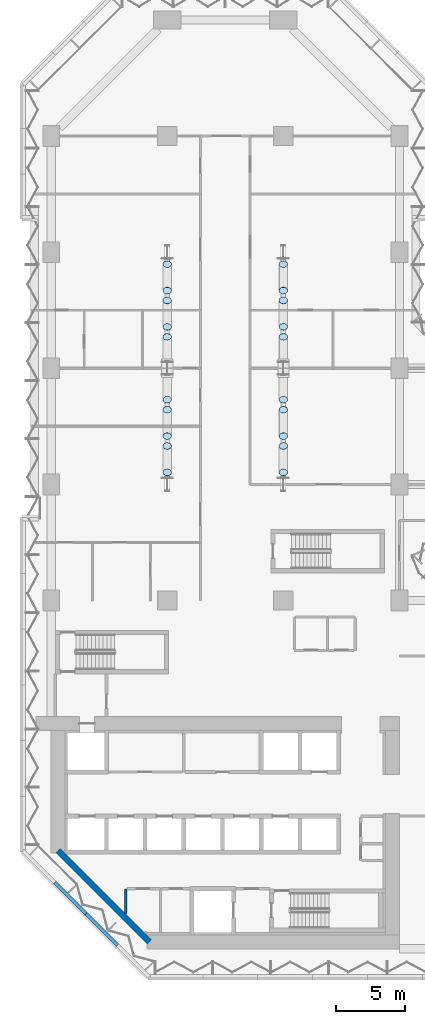
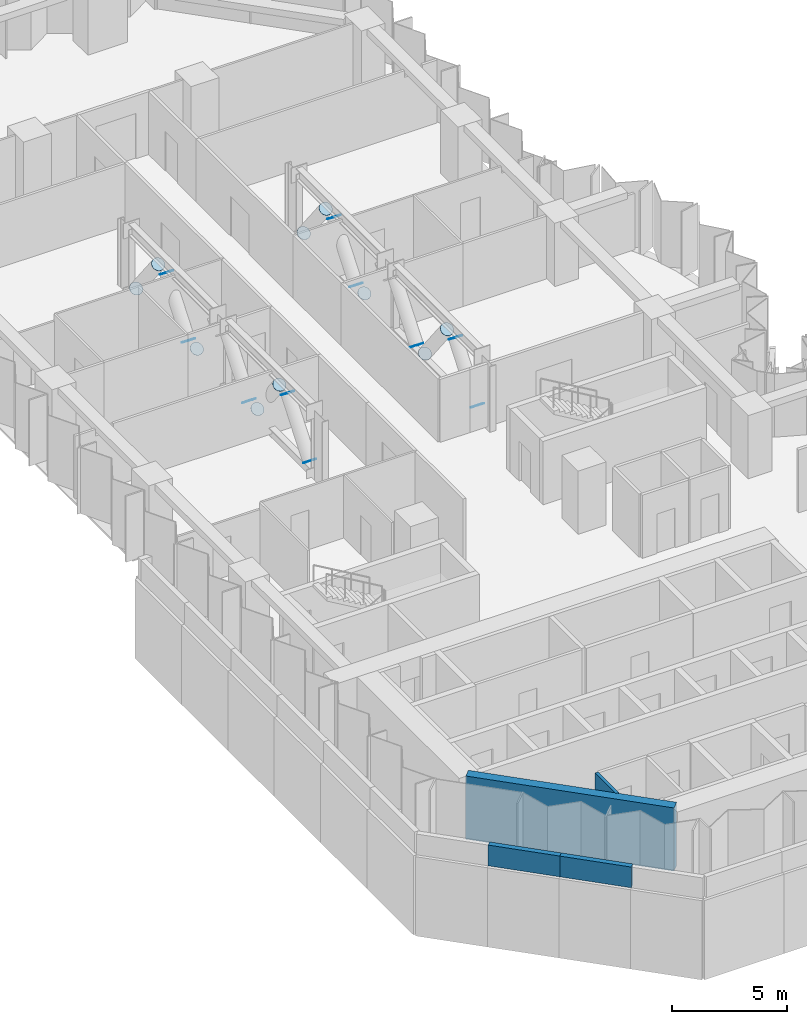
# One storey, part 8 of 24: 20 plates, 4 walls.
"""IFC4 building model written with IfcOpenShell, lengths in metres."""

from ifc_helpers import new_model, si_unit, direction, frame, frame_2d, origin, origin_2d, place, context, subcontext, project, spatial, rectangle, circle, extrude, material, layer, layer_set, material_profile, profile_set, type_object, element, save


model = new_model("IFC4")

# Units and contexts
model_context = context("Model", 3, precision=1e-05, world=origin(), true_north=direction((0.0, 1.0)))
body_context = subcontext(model_context, "Body", "Model", "MODEL_VIEW")
ifc_project = project(units=[si_unit("LENGTHUNIT", "METRE"), si_unit("AREAUNIT", "SQUARE_METRE"), si_unit("VOLUMEUNIT", "CUBIC_METRE"), si_unit("PLANEANGLEUNIT", "RADIAN"), si_unit("MASSUNIT", "GRAM", prefix="KILO")], contexts=[model_context])

# Site, building, storey
site_placement = place(None, origin())
site = spatial("IfcSite", under=ifc_project, at=site_placement, CompositionType="ELEMENT")
building_placement = place(site_placement, origin())
building = spatial("IfcBuilding", under=site, at=building_placement, Name="Brevane Broadcast Tower", CompositionType="ELEMENT")
storey_placement = place(building_placement, frame((0.0, 0.0, 36.5)))
storey = spatial("IfcBuildingStorey", under=building, at=storey_placement, Name="L06", CompositionType="ELEMENT", Elevation=36.5)

# Plates
ifc_material_1 = material(Name="Steel S355", Category="steel")
ifc_material_profile = material_profile(ifc_material_1, circle(Radius=0.304931640625, at=origin_2d()), Name="PL 610 DIA x 15")
ifc_profile_set = profile_set([ifc_material_profile], Name="Steel S355")
plate_type = type_object("IfcPlateType", Name="STEEL END CAP PLATE 610 DIA x 15", PredefinedType="SHEET", material=ifc_profile_set)
plate_1_placement = place(storey_placement, frame((8.39990234375, 34.460205078125, 0.538818359375), z_axis=(0.0, 0.620702944366, 0.784045824462), x_axis=(-1.0, 0.0, 0.0)))
element("IfcPlate", 1, at=plate_1_placement, inside=storey, type_object=plate_type, Name="End cap plate EC6-134", PredefinedType="SHEET", context=body_context, shape_type="SweptSolid", body=[
    extrude(circle(Radius=0.304931640625, at=origin_2d()), origin(), (0.0, 0.0, 1.0), 0.014892578125),
])
plate_2_placement = place(storey_placement, frame((8.39990234375, 36.370361328125, 2.984375), z_axis=(0.0, 0.612823519294, 0.790219801195), x_axis=(-1.0, 0.0, 0.0)))
element("IfcPlate", 2, at=plate_2_placement, inside=storey, type_object=plate_type, Name="End cap plate EC6-135", PredefinedType="SHEET", context=body_context, shape_type="SweptSolid", body=[
    extrude(circle(Radius=0.304931640625, at=origin_2d()), origin(), (0.0, 0.0, 1.0), 0.01513671875),
])
plate_3_placement = place(storey_placement, frame((8.39990234375, 39.01171875, 0.538818359375), z_axis=(0.0, -0.620702944366, 0.784045824462), x_axis=(1.0, 0.0, 0.0)))
element("IfcPlate", 3, at=plate_3_placement, inside=storey, type_object=plate_type, Name="End cap plate EC6-136", PredefinedType="SHEET", context=body_context, shape_type="SweptSolid", body=[
    extrude(circle(Radius=0.304931640625, at=origin_2d()), origin(), (0.0, 0.0, 1.0), 0.014892578125),
])
plate_4_placement = place(storey_placement, frame((8.39990234375, 37.1015625, 2.984375), z_axis=(0.0, -0.612823519294, 0.790219801195), x_axis=(1.0, 0.0, 0.0)))
element("IfcPlate", 4, at=plate_4_placement, inside=storey, type_object=plate_type, Name="End cap plate EC6-137", PredefinedType="SHEET", context=body_context, shape_type="SweptSolid", body=[
    extrude(circle(Radius=0.304931640625, at=origin_2d()), origin(), (0.0, 0.0, 1.0), 0.01513671875),
])
for number, where, z_axis, x_axis, name in (
    (5, (8.39990234375, 39.724365234375, 0.538818359375), (0.0, 0.620702944366, 0.784045824462), (-1.0, 0.0, 0.0), "End cap plate EC6-138"),
    (6, (8.39990234375, 44.275634765625, 0.538818359375), (0.0, -0.620702944366, 0.784045824462), (1.0, 0.0, 0.0), "End cap plate EC6-139"),
    (7, (8.39990234375, 44.98828125, 0.538818359375), (0.0, 0.620702944366, 0.784045824462), (-1.0, 0.0, 0.0), "End cap plate EC6-140"),
):
    element("IfcPlate", number, at=place(storey_placement, frame(where, z_axis=z_axis, x_axis=x_axis)), inside=storey, type_object=plate_type, Name=name, PredefinedType="SHEET", context=body_context, shape_type="SweptSolid", body=[
        extrude(circle(Radius=0.304931640625, at=origin_2d()), origin(), (0.0, 0.0, 1.0), 0.014892578125),
    ])
plate_5_placement = place(storey_placement, frame((8.39990234375, 46.8984375, 2.984375), z_axis=(0.0, 0.612823519294, 0.790219801195), x_axis=(-1.0, 0.0, 0.0)))
element("IfcPlate", 8, at=plate_5_placement, inside=storey, type_object=plate_type, Name="End cap plate EC6-141", PredefinedType="SHEET", context=body_context, shape_type="SweptSolid", body=[
    extrude(circle(Radius=0.304931640625, at=origin_2d()), origin(), (0.0, 0.0, 1.0), 0.01513671875),
])
plate_6_placement = place(storey_placement, frame((8.39990234375, 49.539794921875, 0.538818359375), z_axis=(0.0, -0.620702944366, 0.784045824462), x_axis=(1.0, 0.0, 0.0)))
element("IfcPlate", 9, at=plate_6_placement, inside=storey, type_object=plate_type, Name="End cap plate EC6-142", PredefinedType="SHEET", context=body_context, shape_type="SweptSolid", body=[
    extrude(circle(Radius=0.304931640625, at=origin_2d()), origin(), (0.0, 0.0, 1.0), 0.014892578125),
])
plate_7_placement = place(storey_placement, frame((8.39990234375, 47.629638671875, 2.984375), z_axis=(0.0, -0.612823519294, 0.790219801195), x_axis=(1.0, 0.0, 0.0)))
element("IfcPlate", 10, at=plate_7_placement, inside=storey, type_object=plate_type, Name="End cap plate EC6-143", PredefinedType="SHEET", context=body_context, shape_type="SweptSolid", body=[
    extrude(circle(Radius=0.304931640625, at=origin_2d()), origin(), (0.0, 0.0, 1.0), 0.01513671875),
])
plate_8_placement = place(storey_placement, frame((16.800048828125, 34.460205078125, 0.538818359375), z_axis=(0.0, 0.620702944366, 0.784045824462), x_axis=(-1.0, 0.0, 0.0)))
element("IfcPlate", 11, at=plate_8_placement, inside=storey, type_object=plate_type, Name="End cap plate EC6-154", PredefinedType="SHEET", context=body_context, shape_type="SweptSolid", body=[
    extrude(circle(Radius=0.304931640625, at=origin_2d()), origin(), (0.0, 0.0, 1.0), 0.014892578125),
])
plate_9_placement = place(storey_placement, frame((16.800048828125, 36.370361328125, 2.984375), z_axis=(0.0, 0.612823519294, 0.790219801195), x_axis=(-1.0, 0.0, 0.0)))
element("IfcPlate", 12, at=plate_9_placement, inside=storey, type_object=plate_type, Name="End cap plate EC6-155", PredefinedType="SHEET", context=body_context, shape_type="SweptSolid", body=[
    extrude(circle(Radius=0.304931640625, at=origin_2d()), origin(), (0.0, 0.0, 1.0), 0.01513671875),
])
plate_10_placement = place(storey_placement, frame((16.800048828125, 39.01171875, 0.538818359375), z_axis=(0.0, -0.620702944366, 0.784045824462), x_axis=(1.0, 0.0, 0.0)))
element("IfcPlate", 13, at=plate_10_placement, inside=storey, type_object=plate_type, Name="End cap plate EC6-156", PredefinedType="SHEET", context=body_context, shape_type="SweptSolid", body=[
    extrude(circle(Radius=0.304931640625, at=origin_2d()), origin(), (0.0, 0.0, 1.0), 0.014892578125),
])
plate_11_placement = place(storey_placement, frame((16.800048828125, 37.1015625, 2.984375), z_axis=(0.0, -0.612823519294, 0.790219801195), x_axis=(1.0, 0.0, 0.0)))
element("IfcPlate", 14, at=plate_11_placement, inside=storey, type_object=plate_type, Name="End cap plate EC6-157", PredefinedType="SHEET", context=body_context, shape_type="SweptSolid", body=[
    extrude(circle(Radius=0.304931640625, at=origin_2d()), origin(), (0.0, 0.0, 1.0), 0.01513671875),
])
for number, where, z_axis, x_axis, name in (
    (15, (16.800048828125, 39.724365234375, 0.538818359375), (0.0, 0.620702944366, 0.784045824462), (-1.0, 0.0, 0.0), "End cap plate EC6-158"),
    (16, (16.800048828125, 44.275634765625, 0.538818359375), (0.0, -0.620702944366, 0.784045824462), (1.0, 0.0, 0.0), "End cap plate EC6-159"),
    (17, (16.800048828125, 44.98828125, 0.538818359375), (0.0, 0.620702944366, 0.784045824462), (-1.0, 0.0, 0.0), "End cap plate EC6-160"),
):
    element("IfcPlate", number, at=place(storey_placement, frame(where, z_axis=z_axis, x_axis=x_axis)), inside=storey, type_object=plate_type, Name=name, PredefinedType="SHEET", context=body_context, shape_type="SweptSolid", body=[
        extrude(circle(Radius=0.304931640625, at=origin_2d()), origin(), (0.0, 0.0, 1.0), 0.014892578125),
    ])
plate_12_placement = place(storey_placement, frame((16.800048828125, 46.8984375, 2.984375), z_axis=(0.0, 0.612823519294, 0.790219801195), x_axis=(-1.0, 0.0, 0.0)))
element("IfcPlate", 18, at=plate_12_placement, inside=storey, type_object=plate_type, Name="End cap plate EC6-161", PredefinedType="SHEET", context=body_context, shape_type="SweptSolid", body=[
    extrude(circle(Radius=0.304931640625, at=origin_2d()), origin(), (0.0, 0.0, 1.0), 0.01513671875),
])
plate_13_placement = place(storey_placement, frame((16.800048828125, 49.539794921875, 0.538818359375), z_axis=(0.0, -0.620702944366, 0.784045824462), x_axis=(1.0, 0.0, 0.0)))
element("IfcPlate", 19, at=plate_13_placement, inside=storey, type_object=plate_type, Name="End cap plate EC6-162", PredefinedType="SHEET", context=body_context, shape_type="SweptSolid", body=[
    extrude(circle(Radius=0.304931640625, at=origin_2d()), origin(), (0.0, 0.0, 1.0), 0.014892578125),
])
plate_14_placement = place(storey_placement, frame((16.800048828125, 47.629638671875, 2.984375), z_axis=(0.0, -0.612823519294, 0.790219801195), x_axis=(1.0, 0.0, 0.0)))
element("IfcPlate", 20, at=plate_14_placement, inside=storey, type_object=plate_type, Name="End cap plate EC6-163", PredefinedType="SHEET", context=body_context, shape_type="SweptSolid", body=[
    extrude(circle(Radius=0.304931640625, at=origin_2d()), origin(), (0.0, 0.0, 1.0), 0.01513671875),
])

# Walls
ifc_material_2 = material(Name="Concrete C50/60", Category="concrete")
ifc_layer_1 = layer(ifc_material_2, 0.25)
ifc_layer_set_1 = layer_set([ifc_layer_1], Name="CORNICE PARAPET 1100")
wall_type_1 = type_object("IfcWallType", Name="CORNICE PARAPET 1100", PredefinedType="PARAPET", material=ifc_layer_set_1)
for number, where, z_axis, x_axis, name in (
    (21, (4.815673828125, 0.26416015625, 0.0), (0.0, 0.0, 1.0), (-0.707144708978, 0.707068851361, 0.0), "Cornice parapet"),
    (22, (2.539794921875, 2.539794921875, 0.0), (0.0, 0.0, 1.0), (-0.707068851361, 0.707144708978, 0.0), "Cornice parapet"),
):
    element("IfcWall", number, at=place(storey_placement, frame(where, z_axis=z_axis, x_axis=x_axis)), inside=storey, type_object=wall_type_1, Name=name, PredefinedType="PARAPET", context=body_context, shape_type="SweptSolid", body=[
        extrude(rectangle(XDim=3.218505859375, YDim=0.25, at=frame_2d((1.609375, 0.0))), origin(), (0.0, 0.0, 1.0), 1.10009765625),
    ])
ifc_material_3 = material(Name="Gypsum board on steel studs", Category="steel")
ifc_layer_2 = layer(ifc_material_3, 0.14990234375)
ifc_layer_set_2 = layer_set([ifc_layer_2], Name="Core fire partition 150 mm")
wall_type_2 = type_object("IfcWallType", Name="Core fire partition 150 mm", PredefinedType="PARTITIONING", material=ifc_layer_set_2)
wall_1_placement = place(storey_placement, frame((5.39990234375, 2.553466796875, 0.0), z_axis=(0.0, 0.0, 1.0), x_axis=(0.0, 1.0, 0.0)))
element("IfcWall", 23, at=wall_1_placement, inside=storey, type_object=wall_type_2, Name="L06 partition wall P10", PredefinedType="PARTITIONING", context=body_context, shape_type="SweptSolid", body=[
    extrude(rectangle(XDim=1.796630859375, YDim=0.14990234375, at=frame_2d((0.8984375, 0.0))), origin(), (0.0, 0.0, 1.0), 3.35009765625),
])
ifc_material_4 = material(Name="Concrete C80/95", Category="concrete")
ifc_layer_3 = layer(ifc_material_4, 0.449951171875)
ifc_layer_set_3 = layer_set([ifc_layer_3], Name="Core wall 450 mm C80/95")
wall_type_3 = type_object("IfcWallType", Name="Core wall 450 mm C80/95", PredefinedType="SHEAR", material=ifc_layer_set_3)
wall_2_placement = place(storey_placement, frame((0.5, 7.1181640625, 0.0), z_axis=(0.0, 0.0, 1.0), x_axis=(0.707106781187, -0.707106781187, 0.0)))
element("IfcWall", 24, at=wall_2_placement, inside=storey, type_object=wall_type_3, Name="L06 outer wall WC", PredefinedType="SHEAR", context=body_context, shape_type="SweptSolid", body=[
    extrude(rectangle(XDim=9.359619140625, YDim=0.449951171875, at=frame_2d((4.6796875, 0.0))), origin(), (0.0, 0.0, 1.0), 3.35009765625),
])

save(model, "model.ifc")
